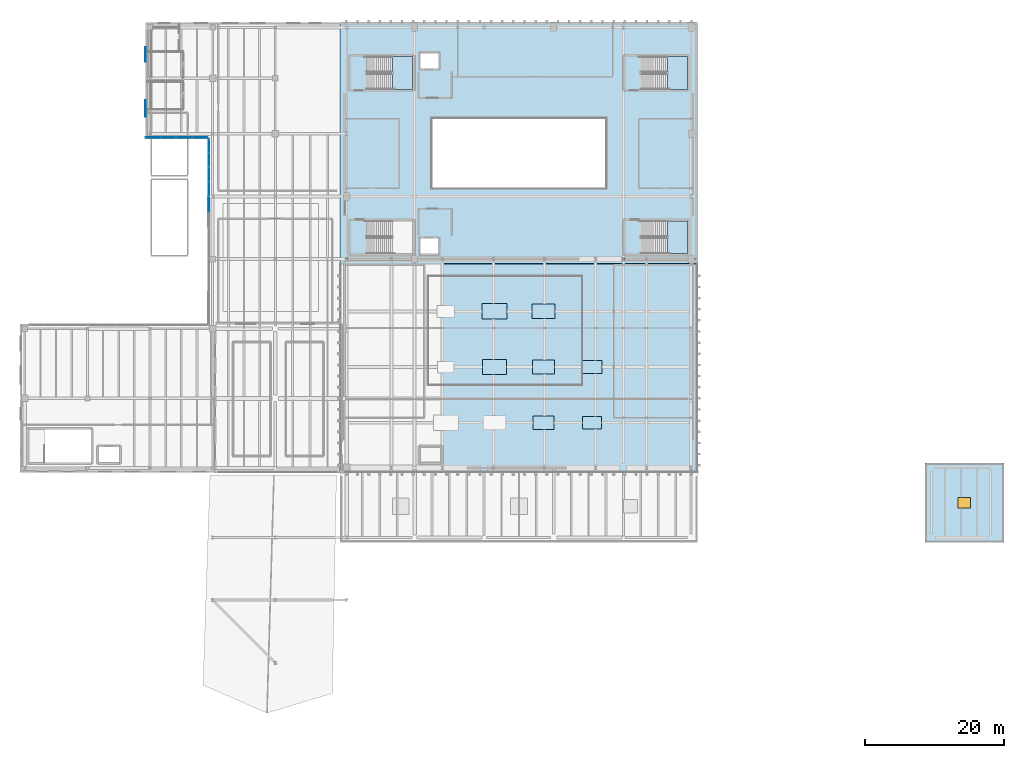
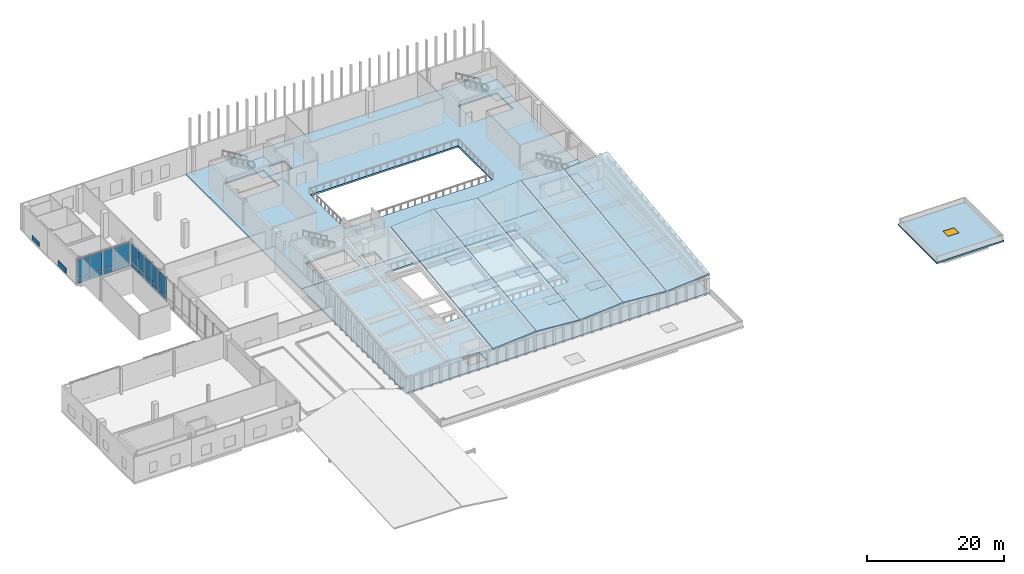
# One storey, part 17 of 30: 27 plates, 11 slabs, 1 window, 1 opening, 8 elements without a shape of their own.
"""IFC4 building model written with IfcOpenShell, lengths in metres."""

from ifc_helpers import new_model, si_unit, direction, frame, origin, origin_2d, place, context, subcontext, project, spatial, polyline, rectangle, outline, extrude, material, layer, layer_set, type_object, element, fill, aggregate, save


model = new_model("IFC4")

# Units and contexts
model_context = context("Model", 3, precision=1e-05, world=origin(), true_north=direction((0.0, 1.0)))
body_context = subcontext(model_context, "Body", "Model", "MODEL_VIEW")
ifc_project = project(units=[si_unit("LENGTHUNIT", "METRE"), si_unit("AREAUNIT", "SQUARE_METRE"), si_unit("VOLUMEUNIT", "CUBIC_METRE"), si_unit("PLANEANGLEUNIT", "RADIAN"), si_unit("MASSUNIT", "GRAM", prefix="KILO")], contexts=[model_context])

# Site, building, storey
site_placement = place(None, origin())
site = spatial("IfcSite", under=ifc_project, at=site_placement, CompositionType="ELEMENT")
building_placement = place(site_placement, origin())
building = spatial("IfcBuilding", under=site, at=building_placement, Name="Trimount Lyric Opera House", CompositionType="ELEMENT")
storey_placement = place(building_placement, frame((0.0, 0.0, 24.800048828125)))
storey = spatial("IfcBuildingStorey", under=building, at=storey_placement, Name="L05", CompositionType="ELEMENT", Elevation=24.800048828125)

# Plates
ifc_material_1 = material(Name="White Oak Acoustic Panelling")
ifc_layer_1 = layer(ifc_material_1, 0.06494140625)
ifc_layer_set_1 = layer_set([ifc_layer_1], Name="AR-01")
plate_type_1 = type_object("IfcPlateType", Name="AR-01", PredefinedType="USERDEFINED", material=ifc_layer_set_1)
plate_1_placement = place(storey_placement, frame((85.5, 76.5, 2.18408203125), z_axis=(0.0, 0.0, 1.0), x_axis=(1.0, 0.0, 0.0)))
element("IfcPlate", 1, at=plate_1_placement, inside=storey, type_object=plate_type_1, Name="Auditorium north acoustic reflector 2", ObjectType="ACOUSTIC_REFLECTOR", PredefinedType="USERDEFINED", context=body_context, shape_type="SweptSolid", body=[
    extrude(rectangle(XDim=3.60009765625, YDim=2.199951171875, at=origin_2d()), origin(), (0.0, 0.0, 1.0), 0.06494140625),
])
ifc_material_2 = material(Name="White Oak Acoustic Panelling")
ifc_layer_2 = layer(ifc_material_2, 0.06005859375)
ifc_layer_set_2 = layer_set([ifc_layer_2], Name="AR-02")
plate_type_2 = type_object("IfcPlateType", Name="AR-02", PredefinedType="USERDEFINED", material=ifc_layer_set_2)
plate_2_placement = place(storey_placement, frame((92.5, 76.5, 2.18896484375), z_axis=(0.0, 0.0, 1.0), x_axis=(1.0, 0.0, 0.0)))
element("IfcPlate", 2, at=plate_2_placement, inside=storey, type_object=plate_type_2, Name="Auditorium north acoustic reflector 3", ObjectType="ACOUSTIC_REFLECTOR", PredefinedType="USERDEFINED", context=body_context, shape_type="SweptSolid", body=[
    extrude(rectangle(XDim=3.300048828125, YDim=2.10009765625, at=origin_2d()), origin(), (0.0, 0.0, 1.0), 0.06005859375),
])
ifc_material_3 = material(Name="White Oak Acoustic Panelling")
ifc_layer_3 = layer(ifc_material_3, 0.054931640625)
ifc_layer_set_3 = layer_set([ifc_layer_3], Name="AR-03")
plate_type_3 = type_object("IfcPlateType", Name="AR-03", PredefinedType="USERDEFINED", material=ifc_layer_set_3)
plate_3_placement = place(storey_placement, frame((92.5, 60.5, 2.19384765625), z_axis=(0.0, 0.0, 1.0), x_axis=(1.0, 0.0, 0.0)))
element("IfcPlate", 3, at=plate_3_placement, inside=storey, type_object=plate_type_3, Name="Auditorium soffit acoustic reflector 3.1", ObjectType="ACOUSTIC_REFLECTOR", PredefinedType="USERDEFINED", context=body_context, shape_type="SweptSolid", body=[
    extrude(rectangle(XDim=3.0, YDim=1.949951171875, at=origin_2d()), origin(), (0.0, 0.0, 1.0), 0.054931640625),
])
ifc_material_4 = material(Name="White Oak Acoustic Panelling")
ifc_layer_4 = layer(ifc_material_4, 0.050048828125)
ifc_layer_set_4 = layer_set([ifc_layer_4], Name="AR-04")
plate_type_4 = type_object("IfcPlateType", Name="AR-04", PredefinedType="USERDEFINED", material=ifc_layer_set_4)
plate_4_placement = place(storey_placement, frame((99.5, 60.5, 2.19873046875), z_axis=(0.0, 0.0, 1.0), x_axis=(1.0, 0.0, 0.0)))
element("IfcPlate", 4, at=plate_4_placement, inside=storey, type_object=plate_type_4, Name="Auditorium soffit acoustic reflector 4.1", ObjectType="ACOUSTIC_REFLECTOR", PredefinedType="USERDEFINED", context=body_context, shape_type="SweptSolid", body=[
    extrude(rectangle(XDim=2.699951171875, YDim=1.800048828125, at=origin_2d()), origin(), (0.0, 0.0, 1.0), 0.050048828125),
])
ifc_material_5 = material(Name="White Oak Acoustic Panelling")
ifc_layer_5 = layer(ifc_material_5, 0.06201171875)
ifc_layer_set_5 = layer_set([ifc_layer_5], Name="AR-06")
plate_type_5 = type_object("IfcPlateType", Name="AR-06", PredefinedType="USERDEFINED", material=ifc_layer_set_5)
plate_5_placement = place(storey_placement, frame((85.5, 68.5, 2.18701171875), z_axis=(0.0, 0.0, 1.0), x_axis=(1.0, 0.0, 0.0)))
element("IfcPlate", 5, at=plate_5_placement, inside=storey, type_object=plate_type_5, Name="Auditorium soffit acoustic reflector 2.2", ObjectType="ACOUSTIC_REFLECTOR", PredefinedType="USERDEFINED", context=body_context, shape_type="SweptSolid", body=[
    extrude(rectangle(XDim=3.449951171875, YDim=2.14990234375, at=origin_2d()), origin(), (0.0, 0.0, 1.0), 0.06201171875),
])
ifc_material_6 = material(Name="White Oak Acoustic Panelling")
ifc_layer_6 = layer(ifc_material_6, 0.05810546875)
ifc_layer_set_6 = layer_set([ifc_layer_6], Name="AR-07")
plate_type_6 = type_object("IfcPlateType", Name="AR-07", PredefinedType="USERDEFINED", material=ifc_layer_set_6)
plate_6_placement = place(storey_placement, frame((92.5, 68.5, 2.19091796875), z_axis=(0.0, 0.0, 1.0), x_axis=(1.0, 0.0, 0.0)))
element("IfcPlate", 6, at=plate_6_placement, inside=storey, type_object=plate_type_6, Name="Auditorium soffit acoustic reflector 3.2", ObjectType="ACOUSTIC_REFLECTOR", PredefinedType="USERDEFINED", context=body_context, shape_type="SweptSolid", body=[
    extrude(rectangle(XDim=3.14990234375, YDim=2.02001953125, at=origin_2d()), origin(), (0.0, 0.0, 1.0), 0.05810546875),
])
ifc_material_7 = material(Name="White Oak Acoustic Panelling")
ifc_layer_7 = layer(ifc_material_7, 0.053955078125)
ifc_layer_set_7 = layer_set([ifc_layer_7], Name="AR-08")
plate_type_7 = type_object("IfcPlateType", Name="AR-08", PredefinedType="USERDEFINED", material=ifc_layer_set_7)
plate_7_placement = place(storey_placement, frame((99.5, 68.5, 2.19482421875), z_axis=(0.0, 0.0, 1.0), x_axis=(1.0, 0.0, 0.0)))
element("IfcPlate", 7, at=plate_7_placement, inside=storey, type_object=plate_type_7, Name="Auditorium soffit acoustic reflector 4.2", ObjectType="ACOUSTIC_REFLECTOR", PredefinedType="USERDEFINED", context=body_context, shape_type="SweptSolid", body=[
    extrude(rectangle(XDim=2.85009765625, YDim=1.8798828125, at=origin_2d()), origin(), (0.0, 0.0, 1.0), 0.053955078125),
])

# Curtain wall, plate
ifc_material_8 = material(Name="Thermally Broken Aluminium and Low-E Glass", Category="aluminium")
curtain_wall_type = type_object("IfcCurtainWallType", Name="CW-03", PredefinedType="NOTDEFINED", material=ifc_material_8)
curtain_wall_1_placement = place(storey_placement, origin())
curtain_wall_1 = element("IfcCurtainWall", 8, at=curtain_wall_1_placement, inside=storey, type_object=curtain_wall_type, Name="L05 curtain wall 346", PredefinedType="NOTDEFINED")
ifc_material_9 = material(Name="Triple Low-E Acoustic Laminated Glass", Category="glass")
ifc_layer_8 = layer(ifc_material_9, 0.035888671875)
ifc_layer_set_8 = layer_set([ifc_layer_8], Name="CWP-01")
plate_type_8 = type_object("IfcPlateType", Name="CWP-01", PredefinedType="CURTAIN_PANEL", material=ifc_layer_set_8)
plate_8_placement = place(storey_placement, frame((44.4599609375, 91.88134765625, 0.134765625), z_axis=(0.0, 0.0, 1.0), x_axis=(0.0, 1.0, 0.0)))
plate_8 = element("IfcPlate", 9, at=plate_8_placement, type_object=plate_type_8, Name="CW-03 panel 2.1", PredefinedType="CURTAIN_PANEL", context=body_context, shape_type="SweptSolid", body=[
    extrude(rectangle(XDim=2.107421875, YDim=0.035888671875, at=origin_2d()), origin(), (0.0, 0.0, 1.0), 0.847412109375),
])

# Curtain wall, plates
curtain_wall_2_placement = place(storey_placement, origin())
curtain_wall_2 = element("IfcCurtainWall", 10, at=curtain_wall_2_placement, inside=storey, type_object=curtain_wall_type, Name="L05 curtain wall 347", PredefinedType="NOTDEFINED")
plate_9_placement = place(storey_placement, frame((44.4599609375, 94.12255859375, 0.114990234375), z_axis=(0.0, 0.0, 1.0), x_axis=(0.0, 1.0, 0.0)))
plate_9 = element("IfcPlate", 11, at=plate_9_placement, type_object=plate_type_8, Name="CW-03 panel 1.1", PredefinedType="CURTAIN_PANEL", context=body_context, shape_type="SweptSolid", body=[
    extrude(rectangle(XDim=1.945068359375, YDim=0.035888671875, at=origin_2d()), origin(), (0.0, 0.0, 1.0), 0.87744140625),
])
plate_10_placement = place(storey_placement, frame((44.4599609375, 96.12744140625, 0.114990234375), z_axis=(0.0, 0.0, 1.0), x_axis=(0.0, 1.0, 0.0)))
plate_10 = element("IfcPlate", 12, at=plate_10_placement, type_object=plate_type_8, Name="CW-03 panel 2.1", PredefinedType="CURTAIN_PANEL", context=body_context, shape_type="SweptSolid", body=[
    extrude(rectangle(XDim=1.945068359375, YDim=0.035888671875, at=origin_2d()), origin(), (0.0, 0.0, 1.0), 0.87744140625),
])

curtain_wall_3_placement = place(storey_placement, origin())
curtain_wall_3 = element("IfcCurtainWall", 13, at=curtain_wall_3_placement, inside=storey, type_object=curtain_wall_type, Name="L05 curtain wall 348", PredefinedType="NOTDEFINED")
plate_11_placement = place(storey_placement, frame((44.4599609375, 98.284912109375, 0.159912109375), z_axis=(0.0, 0.0, 1.0), x_axis=(0.0, 1.0, 0.0)))
plate_11 = element("IfcPlate", 14, at=plate_11_placement, type_object=plate_type_8, Name="CW-03 panel 1.1", PredefinedType="CURTAIN_PANEL", context=body_context, shape_type="SweptSolid", body=[
    extrude(rectangle(XDim=1.929931640625, YDim=0.035888671875, at=origin_2d()), origin(), (0.0, 0.0, 1.0), 0.81005859375),
])
plate_12_placement = place(storey_placement, frame((44.4599609375, 100.284912109375, 0.159912109375), z_axis=(0.0, 0.0, 1.0), x_axis=(0.0, 1.0, 0.0)))
plate_12 = element("IfcPlate", 15, at=plate_12_placement, type_object=plate_type_8, Name="CW-03 panel 2.1", PredefinedType="CURTAIN_PANEL", context=body_context, shape_type="SweptSolid", body=[
    extrude(rectangle(XDim=1.929931640625, YDim=0.035888671875, at=origin_2d()), origin(), (0.0, 0.0, 1.0), 0.81005859375),
])

curtain_wall_4_placement = place(storey_placement, origin())
curtain_wall_4 = element("IfcCurtainWall", 16, at=curtain_wall_4_placement, inside=storey, type_object=curtain_wall_type, Name="L05 curtain wall 349", PredefinedType="NOTDEFINED")
plate_13_placement = place(storey_placement, frame((43.1787109375, 101.4599609375, 0.134765625), z_axis=(0.0, 0.0, 1.0), x_axis=(-1.0, 0.0, 0.0)))
plate_13 = element("IfcPlate", 17, at=plate_13_placement, type_object=plate_type_8, Name="CW-03 panel 1.1", PredefinedType="CURTAIN_PANEL", context=body_context, shape_type="SweptSolid", body=[
    extrude(rectangle(XDim=2.152587890625, YDim=0.035888671875, at=origin_2d()), origin(), (0.0, 0.0, 1.0), 0.847412109375),
])
plate_14_placement = place(storey_placement, frame((40.961181640625, 101.4599609375, 0.134765625), z_axis=(0.0, 0.0, 1.0), x_axis=(-1.0, 0.0, 0.0)))
plate_14 = element("IfcPlate", 18, at=plate_14_placement, type_object=plate_type_8, Name="CW-03 panel 2.1", PredefinedType="CURTAIN_PANEL", context=body_context, shape_type="SweptSolid", body=[
    extrude(rectangle(XDim=2.152587890625, YDim=0.035888671875, at=origin_2d()), origin(), (0.0, 0.0, 1.0), 0.847412109375),
])

curtain_wall_5_placement = place(storey_placement, origin())
curtain_wall_5 = element("IfcCurtainWall", 19, at=curtain_wall_5_placement, inside=storey, type_object=curtain_wall_type, Name="L05 curtain wall 350", PredefinedType="NOTDEFINED")
plate_15_placement = place(storey_placement, frame((38.612548828125, 101.4599609375, 0.114990234375), z_axis=(0.0, 0.0, 1.0), x_axis=(-1.0, 0.0, 0.0)))
plate_15 = element("IfcPlate", 20, at=plate_15_placement, type_object=plate_type_8, Name="CW-03 panel 1.1", PredefinedType="CURTAIN_PANEL", context=body_context, shape_type="SweptSolid", body=[
    extrude(rectangle(XDim=2.114990234375, YDim=0.035888671875, at=origin_2d()), origin(), (0.0, 0.0, 1.0), 0.87744140625),
])
plate_16_placement = place(storey_placement, frame((36.4375, 101.4599609375, 0.114990234375), z_axis=(0.0, 0.0, 1.0), x_axis=(-1.0, 0.0, 0.0)))
plate_16 = element("IfcPlate", 21, at=plate_16_placement, type_object=plate_type_8, Name="CW-03 panel 2.1", PredefinedType="CURTAIN_PANEL", context=body_context, shape_type="SweptSolid", body=[
    extrude(rectangle(XDim=2.114990234375, YDim=0.035888671875, at=origin_2d()), origin(), (0.0, 0.0, 1.0), 0.87744140625),
])

# Plate
ifc_material_10 = material(Name="Insulated Aluminium Shadow-Box Spandrel Panel", Category="aluminium")
ifc_layer_9 = layer(ifc_material_10, 0.0419921875)
ifc_layer_set_9 = layer_set([ifc_layer_9], Name="CWP-04")
plate_type_9 = type_object("IfcPlateType", Name="CWP-04", PredefinedType="CURTAIN_PANEL", material=ifc_layer_set_9)
plate_17_placement = place(storey_placement, frame((44.4599609375, 91.88134765625, 1.1171875), z_axis=(0.0, 0.0, 1.0), x_axis=(0.0, 1.0, 0.0)))
plate_17 = element("IfcPlate", 22, at=plate_17_placement, type_object=plate_type_9, Name="CW-03 panel 2.2", PredefinedType="CURTAIN_PANEL", context=body_context, shape_type="SweptSolid", body=[
    extrude(rectangle(XDim=2.107421875, YDim=0.035888671875, at=origin_2d()), origin(), (0.0, 0.0, 1.0), 3.277587890625),
])

aggregate(curtain_wall_1, [plate_8, plate_17])

plate_18_placement = place(storey_placement, frame((44.4599609375, 94.12255859375, 1.107421875), z_axis=(0.0, 0.0, 1.0), x_axis=(0.0, 1.0, 0.0)))
plate_18 = element("IfcPlate", 23, at=plate_18_placement, type_object=plate_type_9, Name="CW-03 panel 1.2", PredefinedType="CURTAIN_PANEL", context=body_context, shape_type="SweptSolid", body=[
    extrude(rectangle(XDim=1.945068359375, YDim=0.035888671875, at=origin_2d()), origin(), (0.0, 0.0, 1.0), 3.3076171875),
])

plate_19_placement = place(storey_placement, frame((44.4599609375, 96.12744140625, 1.107421875), z_axis=(0.0, 0.0, 1.0), x_axis=(0.0, 1.0, 0.0)))
plate_19 = element("IfcPlate", 24, at=plate_19_placement, type_object=plate_type_9, Name="CW-03 panel 2.2", PredefinedType="CURTAIN_PANEL", context=body_context, shape_type="SweptSolid", body=[
    extrude(rectangle(XDim=1.945068359375, YDim=0.035888671875, at=origin_2d()), origin(), (0.0, 0.0, 1.0), 3.3076171875),
])

aggregate(curtain_wall_2, [plate_9, plate_18, plate_10, plate_19])

plate_20_placement = place(storey_placement, frame((44.4599609375, 98.284912109375, 1.1298828125), z_axis=(0.0, 0.0, 1.0), x_axis=(0.0, 1.0, 0.0)))
plate_20 = element("IfcPlate", 25, at=plate_20_placement, type_object=plate_type_9, Name="CW-03 panel 1.2", PredefinedType="CURTAIN_PANEL", context=body_context, shape_type="SweptSolid", body=[
    extrude(rectangle(XDim=1.929931640625, YDim=0.035888671875, at=origin_2d()), origin(), (0.0, 0.0, 1.0), 3.239990234375),
])

plate_21_placement = place(storey_placement, frame((44.4599609375, 100.284912109375, 1.1298828125), z_axis=(0.0, 0.0, 1.0), x_axis=(0.0, 1.0, 0.0)))
plate_21 = element("IfcPlate", 26, at=plate_21_placement, type_object=plate_type_9, Name="CW-03 panel 2.2", PredefinedType="CURTAIN_PANEL", context=body_context, shape_type="SweptSolid", body=[
    extrude(rectangle(XDim=1.929931640625, YDim=0.035888671875, at=origin_2d()), origin(), (0.0, 0.0, 1.0), 3.239990234375),
])

aggregate(curtain_wall_3, [plate_11, plate_20, plate_12, plate_21])

plate_22_placement = place(storey_placement, frame((43.1787109375, 101.4599609375, 1.1171875), z_axis=(0.0, 0.0, 1.0), x_axis=(-1.0, 0.0, 0.0)))
plate_22 = element("IfcPlate", 27, at=plate_22_placement, type_object=plate_type_9, Name="CW-03 panel 1.2", PredefinedType="CURTAIN_PANEL", context=body_context, shape_type="SweptSolid", body=[
    extrude(rectangle(XDim=2.152587890625, YDim=0.035888671875, at=origin_2d()), origin(), (0.0, 0.0, 1.0), 3.277587890625),
])

plate_23_placement = place(storey_placement, frame((40.961181640625, 101.4599609375, 1.1171875), z_axis=(0.0, 0.0, 1.0), x_axis=(-1.0, 0.0, 0.0)))
plate_23 = element("IfcPlate", 28, at=plate_23_placement, type_object=plate_type_9, Name="CW-03 panel 2.2", PredefinedType="CURTAIN_PANEL", context=body_context, shape_type="SweptSolid", body=[
    extrude(rectangle(XDim=2.152587890625, YDim=0.035888671875, at=origin_2d()), origin(), (0.0, 0.0, 1.0), 3.277587890625),
])

aggregate(curtain_wall_4, [plate_13, plate_22, plate_14, plate_23])

plate_24_placement = place(storey_placement, frame((38.612548828125, 101.4599609375, 1.107421875), z_axis=(0.0, 0.0, 1.0), x_axis=(-1.0, 0.0, 0.0)))
plate_24 = element("IfcPlate", 29, at=plate_24_placement, type_object=plate_type_9, Name="CW-03 panel 1.2", PredefinedType="CURTAIN_PANEL", context=body_context, shape_type="SweptSolid", body=[
    extrude(rectangle(XDim=2.114990234375, YDim=0.035888671875, at=origin_2d()), origin(), (0.0, 0.0, 1.0), 3.3076171875),
])

plate_25_placement = place(storey_placement, frame((36.4375, 101.4599609375, 1.107421875), z_axis=(0.0, 0.0, 1.0), x_axis=(-1.0, 0.0, 0.0)))
plate_25 = element("IfcPlate", 30, at=plate_25_placement, type_object=plate_type_9, Name="CW-03 panel 2.2", PredefinedType="CURTAIN_PANEL", context=body_context, shape_type="SweptSolid", body=[
    extrude(rectangle(XDim=2.114990234375, YDim=0.035888671875, at=origin_2d()), origin(), (0.0, 0.0, 1.0), 3.3076171875),
])

aggregate(curtain_wall_5, [plate_15, plate_24, plate_16, plate_25])

# Plates
ifc_material_11 = material(Name="Anodised Aluminium 6063-T6", Category="aluminium")
ifc_layer_10 = layer(ifc_material_11, 0.949951171875)
ifc_layer_set_10 = layer_set([ifc_layer_10], Name="FP-02")
plate_type_10 = type_object("IfcPlateType", Name="FP-02", PredefinedType="SHEET", material=ifc_layer_set_10)
plate_26_placement = place(storey_placement, frame((35.33544921875, 105.659912109375, 0.1201171875), z_axis=(0.0, 0.0, 1.0), x_axis=(0.0, 1.0, 0.0)))
element("IfcPlate", 31, at=plate_26_placement, inside=storey, type_object=plate_type_10, Name="Facade spandrel trim sheet 05", PredefinedType="SHEET", context=body_context, shape_type="SweptSolid", body=[
    extrude(rectangle(XDim=2.39990234375, YDim=0.044921875, at=origin_2d()), origin(), (0.0, 0.0, 1.0), 0.949951171875),
])
ifc_material_12 = material(Name="Anodised Aluminium 6063-T6", Category="aluminium")
ifc_layer_11 = layer(ifc_material_12, 0.85009765625)
ifc_layer_set_11 = layer_set([ifc_layer_11], Name="FP-03")
plate_type_11 = type_object("IfcPlateType", Name="FP-03", PredefinedType="SHEET", material=ifc_layer_set_11)
plate_27_placement = place(storey_placement, frame((35.337890625, 113.4150390625, 0.119873046875), z_axis=(0.0, 0.0, 1.0), x_axis=(0.0, 1.0, 0.0)))
element("IfcPlate", 32, at=plate_27_placement, inside=storey, type_object=plate_type_11, Name="Facade spandrel trim sheet 06", PredefinedType="SHEET", context=body_context, shape_type="SweptSolid", body=[
    extrude(rectangle(XDim=2.10009765625, YDim=0.0400390625, at=origin_2d()), origin(), (0.0, 0.0, 1.0), 0.85009765625),
])

# Slabs
ifc_material_13 = material(Name="Concrete C40/50", Category="concrete")
ifc_layer_12 = layer(ifc_material_13, 0.300048828125)
ifc_layer_set_12 = layer_set([ifc_layer_12], Name="SL-FL300")
slab_type_1 = type_object("IfcSlabType", Name="SL-FL300", PredefinedType="FLOOR", material=ifc_layer_set_12)
slab_1_placement = place(storey_placement, frame((0.0, 0.0, -0.300048828125)))
element("IfcSlab", 33, at=slab_1_placement, inside=storey, type_object=slab_type_1, Name="L05 floor slab L05-VOL1-S", PredefinedType="FLOOR", context=body_context, shape_type="SweptSolid", body=[
    extrude(outline(polyline([(63.320068359375, 84.0), (114.679931640625, 84.0), (114.679931640625, 53.320068359375), (63.320068359375, 53.320068359375), (63.320068359375, 84.0)]), holes=[polyline([(76.0, 66.0), (98.0, 66.0), (98.0, 81.5), (76.0, 81.5), (76.0, 66.0)]), polyline([(74.800048828125, 57.0), (74.800048828125, 54.800048828125), (77.800048828125, 54.800048828125), (77.800048828125, 57.0), (74.800048828125, 57.0)])]), origin(), (0.0, 0.0, 1.0), 0.300048828125),
])
slab_2_placement = place(storey_placement, frame((0.0, 0.0, -0.300048828125)))
element("IfcSlab", 34, at=slab_2_placement, inside=storey, type_object=slab_type_1, Name="L05 floor slab L05-VOL1-N", PredefinedType="FLOOR", context=body_context, shape_type="SweptSolid", body=[
    extrude(outline(polyline([(114.679931640625, 118.0), (114.679931640625, 84.0), (63.320068359375, 84.0), (63.320068359375, 118.0), (114.679931640625, 118.0)]), holes=[polyline([(106.60009765625, 89.5), (106.60009765625, 84.800048828125), (113.199951171875, 84.800048828125), (113.199951171875, 89.5), (106.60009765625, 89.5)]), polyline([(113.199951171875, 113.10009765625), (106.60009765625, 113.10009765625), (106.60009765625, 108.39990234375), (113.199951171875, 108.39990234375), (113.199951171875, 113.10009765625)]), polyline([(76.5, 94.199951171875), (101.5, 94.199951171875), (101.5, 104.199951171875), (76.5, 104.199951171875), (76.5, 94.199951171875)]), polyline([(77.5, 113.60009765625), (74.800048828125, 113.60009765625), (74.800048828125, 111.39990234375), (77.5, 111.39990234375), (77.5, 113.60009765625)]), polyline([(74.800048828125, 87.0), (74.800048828125, 84.800048828125), (77.39990234375, 84.800048828125), (77.39990234375, 87.0), (74.800048828125, 87.0)]), polyline([(67.10009765625, 89.5), (67.10009765625, 84.800048828125), (73.699951171875, 84.800048828125), (73.699951171875, 89.5), (67.10009765625, 89.5)]), polyline([(67.10009765625, 113.10009765625), (67.10009765625, 108.39990234375), (73.699951171875, 108.39990234375), (73.699951171875, 113.10009765625), (67.10009765625, 113.10009765625)])]), origin(), (0.0, 0.0, 1.0), 0.300048828125),
])

# Stair, slab
ifc_material_14 = material(Name="Concrete C40/50", Category="concrete")
stair_type = type_object("IfcStairType", Name="STR-CORE-B", PredefinedType="TWO_QUARTER_TURN_STAIR", material=ifc_material_14)
stair_1_placement = place(storey_placement, origin())
stair_1 = element("IfcStair", 35, at=stair_1_placement, inside=storey, type_object=stair_type, Name="L05 Exit Stair ST-01", PredefinedType="TWO_QUARTER_TURN_STAIR")
ifc_material_15 = material(Name="Concrete C40/50", Category="concrete")
ifc_layer_13 = layer(ifc_material_15, 0.199951171875)
ifc_layer_set_13 = layer_set([ifc_layer_13], Name="SL-LND200")
slab_type_2 = type_object("IfcSlabType", Name="SL-LND200", PredefinedType="LANDING", material=ifc_layer_set_13)
slab_3_placement = place(storey_placement, frame((0.0, 0.0, 2.199951171875)))
slab_3 = element("IfcSlab", 36, at=slab_3_placement, type_object=slab_type_2, Name="ST-01 landing 1", PredefinedType="LANDING", context=body_context, shape_type="SweptSolid", body=[
    extrude(outline(polyline([(70.820068359375, 108.39990234375), (73.699951171875, 108.39990234375), (73.699951171875, 113.10009765625), (70.820068359375, 113.10009765625), (70.820068359375, 108.39990234375)])), origin(), (0.0, 0.0, 1.0), 0.199951171875),
])
aggregate(stair_1, [slab_3])

stair_2_placement = place(storey_placement, origin())
stair_2 = element("IfcStair", 37, at=stair_2_placement, inside=storey, type_object=stair_type, Name="L05 Exit Stair ST-02", PredefinedType="TWO_QUARTER_TURN_STAIR")
slab_4_placement = place(storey_placement, frame((0.0, 0.0, 2.199951171875)))
slab_4 = element("IfcSlab", 38, at=slab_4_placement, type_object=slab_type_2, Name="ST-02 landing 1", PredefinedType="LANDING", context=body_context, shape_type="SweptSolid", body=[
    extrude(outline(polyline([(110.320068359375, 108.39990234375), (113.199951171875, 108.39990234375), (113.199951171875, 113.10009765625), (110.320068359375, 113.10009765625), (110.320068359375, 108.39990234375)])), origin(), (0.0, 0.0, 1.0), 0.199951171875),
])
aggregate(stair_2, [slab_4])

stair_3_placement = place(storey_placement, origin())
stair_3 = element("IfcStair", 39, at=stair_3_placement, inside=storey, type_object=stair_type, Name="L05 Exit Stair ST-04", PredefinedType="TWO_QUARTER_TURN_STAIR")
slab_5_placement = place(storey_placement, frame((0.0, 0.0, 2.199951171875)))
slab_5 = element("IfcSlab", 40, at=slab_5_placement, type_object=slab_type_2, Name="ST-04 landing 1", PredefinedType="LANDING", context=body_context, shape_type="SweptSolid", body=[
    extrude(outline(polyline([(110.320068359375, 84.800048828125), (113.199951171875, 84.800048828125), (113.199951171875, 89.5), (110.320068359375, 89.5), (110.320068359375, 84.800048828125)])), origin(), (0.0, 0.0, 1.0), 0.199951171875),
])
aggregate(stair_3, [slab_5])

# Slabs
ifc_material_16 = material(Name="Concrete C35/45", Category="concrete")
ifc_layer_14 = layer(ifc_material_16, 0.2099609375)
ifc_layer_set_14 = layer_set([ifc_layer_14], Name="SL-RF210")
slab_type_3 = type_object("IfcSlabType", Name="SL-RF210", PredefinedType="ROOF", material=ifc_layer_set_14)
slab_6_placement = place(storey_placement, frame((85.33154296875, 53.320068359375, 3.369873046875), z_axis=(0.076891201191, -0.119768359758, 0.989819823594), x_axis=(0.996996357791, 1.966478e-06, -0.077448450904)))
element("IfcSlab", 41, at=slab_6_placement, inside=storey, type_object=slab_type_3, Name="Auditorium folded roof facet bay 4", PredefinedType="ROOF", context=body_context, shape_type="SweptSolid", body=[
    extrude(outline(polyline([(0.0, 0.0), (7.359008600768515, 0.0), (7.077938794304157, 30.217495743058816), (-0.28108871477756703, 30.217524895590472), (0.0, 0.0)])), origin(), (0.0, 0.0, -1.0), 0.2099609375),
])
slab_7_placement = place(storey_placement, frame((100.005615234375, 53.320068359375, 3.369873046875), z_axis=(0.076888657797, -0.11976838332, 0.989820018316), x_axis=(0.996996556778, 1.966413e-06, -0.077445889299)))
element("IfcSlab", 42, at=slab_7_placement, inside=storey, type_object=slab_type_3, Name="Auditorium folded roof facet bay 6", PredefinedType="ROOF", context=body_context, shape_type="SweptSolid", body=[
    extrude(outline(polyline([(0.0, 0.0), (7.3592520084149315, -1.3877787807814457e-17), (7.078191498349175, 30.21749582952838), (-0.28107941775357403, 30.21752498207159), (0.0, 0.0)])), origin(), (0.0, 0.0, -1.0), 0.2099609375),
])
ifc_material_17 = material(Name="Concrete C40/50", Category="concrete")
ifc_layer_15 = layer(ifc_material_17, 0.25)
ifc_layer_set_15 = layer_set([ifc_layer_15], Name="SL-RF250")
slab_type_4 = type_object("IfcSlabType", Name="SL-RF250", PredefinedType="ROOF", material=ifc_layer_set_15)
for number, where, z_axis, x_axis, name in (
    (43, (77.994384765625, 53.320068359375, 2.800048828125), (-0.076888657797, -0.11976838332, 0.989820018316), (0.996996556778, -1.966413e-06, 0.077445889299), "Auditorium folded roof facet bay 3"),
    (44, (92.66845703125, 53.320068359375, 2.800048828125), (-0.076888657797, -0.11976838332, 0.989820018316), (0.996996556778, -1.966413e-06, 0.077445889299), "Auditorium folded roof facet bay 5"),
    (45, (107.3427734375, 53.320068359375, 2.800048828125), (-0.076888657797, -0.11976838332, 0.989820018316), (0.996996556778, -1.966413e-06, 0.077445889299), "Auditorium folded roof facet bay 7"),
):
    element("IfcSlab", number, at=place(storey_placement, frame(where, z_axis=z_axis, x_axis=x_axis)), inside=storey, type_object=slab_type_4, Name=name, PredefinedType="ROOF", context=body_context, shape_type="SweptSolid", body=[
        extrude(outline(polyline([(0.0, 0.0), (7.3592520084149315, 1.3877787807814457e-17), (7.640331426168505, 30.217524982071588), (0.28106051006575694, 30.21749582952838), (0.0, 0.0)])), origin(), (0.0, 0.0, -1.0), 0.25),
    ])

# Slab, opening, window
ifc_material_18 = material(Name="Concrete C40/50", Category="concrete")
ifc_layer_16 = layer(ifc_material_18, 0.2900390625)
ifc_layer_set_16 = layer_set([ifc_layer_16], Name="SL-RF290")
slab_type_5 = type_object("IfcSlabType", Name="SL-RF290", PredefinedType="ROOF", material=ifc_layer_set_16)
slab_8_placement = place(storey_placement, frame((0.0, 0.0, -0.2900390625)))
slab_8 = element("IfcSlab", 46, at=slab_8_placement, inside=storey, type_object=slab_type_5, Name="East core K5 head-house roof", PredefinedType="ROOF", context=body_context, shape_type="SweptSolid", body=[
    extrude(outline(polyline([(147.320068359375, 54.679931640625), (158.679931640625, 54.679931640625), (158.679931640625, 43.320068359375), (147.320068359375, 43.320068359375), (147.320068359375, 54.679931640625)])), origin(), (0.0, 0.0, 1.0), 0.2900390625),
])
opening_placement = place(slab_8_placement, frame((153.0, 49.0, 0.0)))
opening = element("IfcOpeningElement", 47, at=opening_placement, cuts=slab_8, Name="Opening WT-SKY3", PredefinedType="OPENING", context=body_context, shape_type="SweptSolid", body=[
    extrude(rectangle(XDim=1.800048828125, YDim=1.5, at=origin_2d()), frame((0.0, 0.0, -0.010009765625)), (0.0, 0.0, 1.0), 0.31005859375),
])
ifc_material_19 = material(Name="Stair Core Smoke Relief Hatch")
window_type = type_object("IfcWindowType", Name="WT-SKY3", PartitioningType="SINGLE_PANEL", PredefinedType="SKYLIGHT", material=ifc_material_19)
window_placement = place(opening_placement, frame((0.0, 0.0, 0.239990234375)))
window = element("IfcWindow", 48, at=window_placement, inside=storey, type_object=window_type, Name="East Core K5 Stair Smoke Hatch", OverallHeight=1.5, OverallWidth=1.800048828125, PartitioningType="SINGLE_PANEL", PredefinedType="SKYLIGHT", context=body_context, shape_type="SweptSolid", body=[
    extrude(rectangle(XDim=1.800048828125, YDim=1.5, at=origin_2d()), origin(), (0.0, 0.0, 1.0), 0.050048828125),
])
fill(opening, window)

save(model, "model.ifc")
